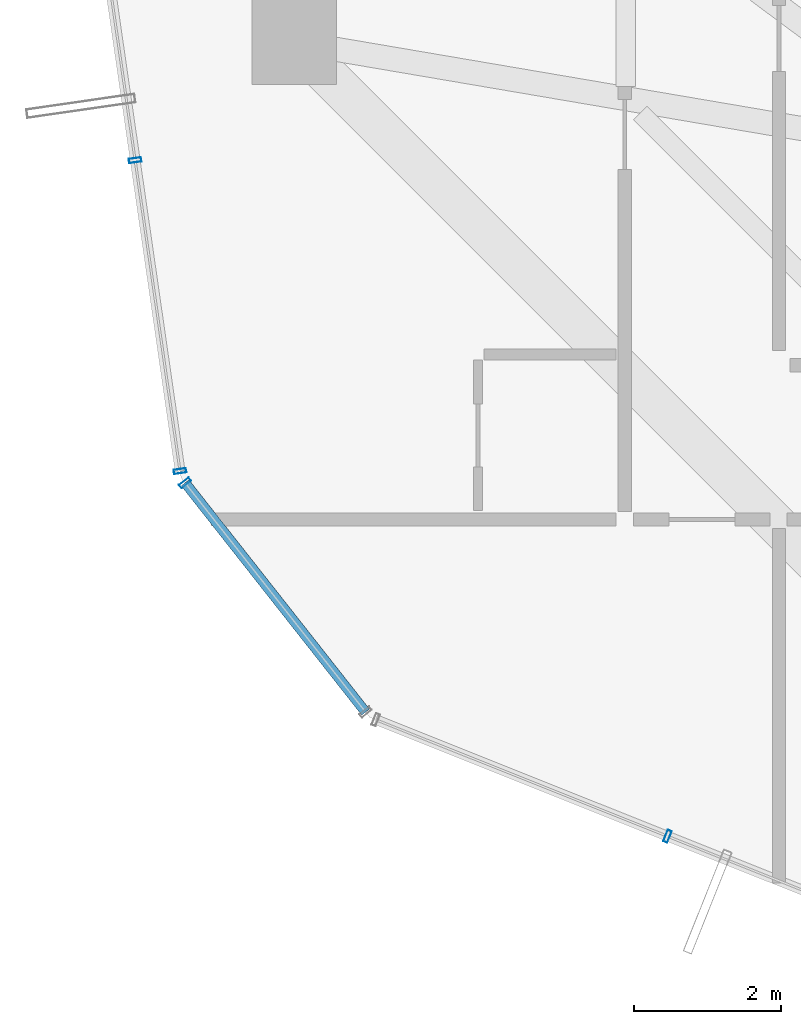
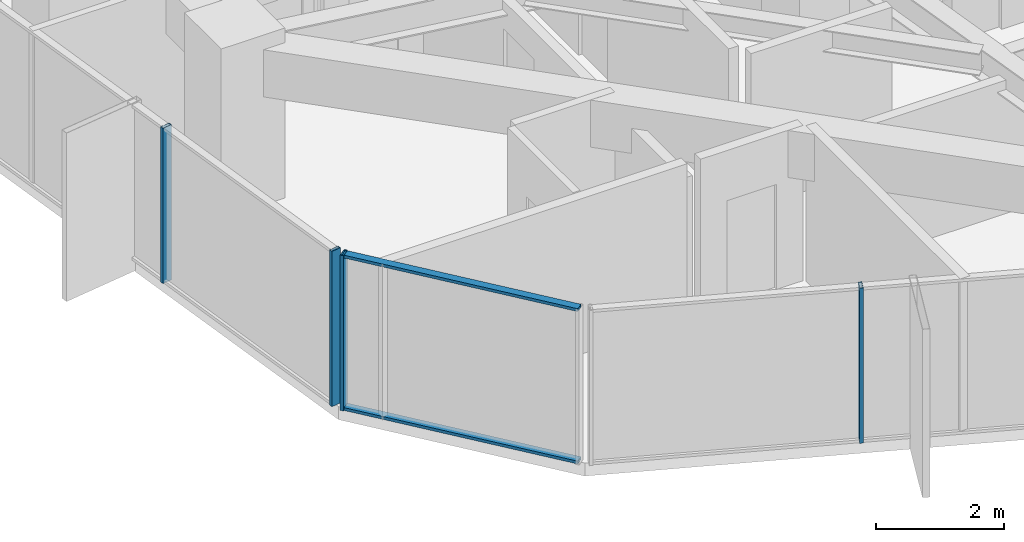
# One storey, part 4 of 34: 6 members, 3 elements without a shape of their own.
"""IFC4 building model written with IfcOpenShell, lengths in metres."""

from ifc_helpers import new_model, si_unit, direction, frame, origin, origin_2d, place, context, subcontext, project, spatial, hollow_rectangle, extrude, source, transform, mapped, material, layer, layer_set, material_profile, profile_set, type_object, element, aggregate, save


model = new_model("IFC4")

# Units and contexts
model_context = context("Model", 3, precision=1e-05, world=origin(), true_north=direction((0.0, 1.0)))
body_context = subcontext(model_context, "Body", "Model", "MODEL_VIEW")
ifc_project = project(units=[si_unit("LENGTHUNIT", "METRE"), si_unit("AREAUNIT", "SQUARE_METRE"), si_unit("VOLUMEUNIT", "CUBIC_METRE"), si_unit("PLANEANGLEUNIT", "RADIAN"), si_unit("MASSUNIT", "GRAM", prefix="KILO")], contexts=[model_context])

# Site, building, storey
site_placement = place(None, origin())
site = spatial("IfcSite", under=ifc_project, at=site_placement, CompositionType="ELEMENT")
building_placement = place(site_placement, origin())
building = spatial("IfcBuilding", under=site, at=building_placement, Name="Veraguas Prism Commons", CompositionType="ELEMENT")
storey_placement = place(building_placement, frame((0.0, 0.0, 155.5)))
storey = spatial("IfcBuildingStorey", under=building, at=storey_placement, Name="L44", CompositionType="ELEMENT", Elevation=155.5)

# Curtain wall, members
ifc_material = material(Name="Anodised aluminium EN AW-6063 T6", Category="aluminium")
ifc_layer = layer(ifc_material, 0.169921875, Name="Unitised Flush Curtain Wall Zone 2", Category="aluminium")
ifc_layer_set = layer_set([ifc_layer], Name="Anodised aluminium EN AW-6063 T6")
curtain_wall_type = type_object("IfcCurtainWallType", Name="Unitised Flush Curtain Wall Zone 2", PredefinedType="NOTDEFINED", material=ifc_layer_set)
curtain_wall_1_placement = place(storey_placement, origin())
curtain_wall_1 = element("IfcCurtainWall", 1, at=curtain_wall_1_placement, inside=storey, type_object=curtain_wall_type, Name="Tower Facade Curtain Wall L44-F3", PredefinedType="NOTDEFINED")
ifc_material_profile_1 = material_profile(ifc_material, hollow_rectangle(XDim=0.06005859375, YDim=0.169921875, WallThickness=0.00390625, at=origin_2d()), Name="AL60X170X4")
ifc_profile_set_1 = profile_set([ifc_material_profile_1], Name="Anodised aluminium EN AW-6063 T6")
member_type_1 = type_object("IfcMemberType", Name="Curtain Wall Mullion Lower AL 60x170x4", PredefinedType="MULLION", material=ifc_profile_set_1)
shared_shape_1 = source(origin(), body_context, "Body", "SweptSolid", [
    extrude(hollow_rectangle(XDim=0.06005859375, YDim=0.169921875, WallThickness=0.00390625, at=origin_2d()), origin(), (0.0, 0.0, 1.0), 2.969970703125),
])
member_1_placement = place(storey_placement, frame((5.630615234375, 16.9931640625, 0.0), z_axis=(0.0, 0.0, 1.0), x_axis=(0.142970967293, -0.989726882787, 0.0)))
member_1 = element("IfcMember", 2, at=member_1_placement, type_object=member_type_1, Name="CW-Z2 Mullion 4", PredefinedType="MULLION", context=body_context, shape_type="MappedRepresentation", body=[
    mapped(shared_shape_1, transform((0.0, 0.0, 0.0), scale=1.0)),
])
member_2_placement = place(storey_placement, frame((6.242431640625, 12.758544921875, 0.0), z_axis=(0.0, 0.0, 1.0), x_axis=(0.142970967293, -0.989726882787, 0.0)))
member_2 = element("IfcMember", 3, at=member_2_placement, type_object=member_type_1, Name="CW-Z2 Mullion 5", PredefinedType="MULLION", context=body_context, shape_type="MappedRepresentation", body=[
    mapped(shared_shape_1, transform((0.0, 0.0, 0.0), scale=1.0)),
])
aggregate(curtain_wall_1, [member_1, member_2])

# Curtain wall, member
curtain_wall_2_placement = place(storey_placement, origin())
curtain_wall_2 = element("IfcCurtainWall", 4, at=curtain_wall_2_placement, inside=storey, type_object=curtain_wall_type, Name="Tower Facade Curtain Wall L44-F4", PredefinedType="NOTDEFINED")
member_3_placement = place(storey_placement, frame((12.88134765625, 7.78564453125, 0.0), z_axis=(0.0, 0.0, 1.0), x_axis=(0.928617344909, -0.371038848013, 0.0)))
member_3 = element("IfcMember", 5, at=member_3_placement, type_object=member_type_1, Name="CW-Z2 Mullion 2", PredefinedType="MULLION", context=body_context, shape_type="MappedRepresentation", body=[
    mapped(shared_shape_1, transform((0.0, 0.0, 0.0), scale=1.0)),
])
aggregate(curtain_wall_2, [member_3])

# Curtain wall, members
curtain_wall_3_placement = place(storey_placement, origin())
curtain_wall_3 = element("IfcCurtainWall", 6, at=curtain_wall_3_placement, inside=storey, type_object=curtain_wall_type, Name="Chamfer Curtain Wall L44-C4", PredefinedType="NOTDEFINED")
member_4_placement = place(storey_placement, frame((6.310791015625, 12.5986328125, 0.0), z_axis=(0.0, 0.0, 1.0), x_axis=(0.618681302278, -0.785642059854, 0.0)))
member_4 = element("IfcMember", 7, at=member_4_placement, type_object=member_type_1, Name="CW-Z2 Mullion 1", PredefinedType="MULLION", context=body_context, shape_type="MappedRepresentation", body=[
    mapped(shared_shape_1, transform((0.0, 0.0, 0.0), scale=1.0)),
])
ifc_material_profile_2 = material_profile(ifc_material, hollow_rectangle(XDim=0.054931640625, YDim=0.135009765625, WallThickness=0.0029296875, at=origin_2d()), Name="AL55X135X3")
ifc_profile_set_2 = profile_set([ifc_material_profile_2], Name="Anodised aluminium EN AW-6063 T6")
member_type_2 = type_object("IfcMemberType", Name="Curtain Wall Transom Standard AL 55x135x3", PredefinedType="USERDEFINED", material=ifc_profile_set_2)
shared_shape_2 = source(origin(), body_context, "Body", "SweptSolid", [
    extrude(hollow_rectangle(XDim=0.054931640625, YDim=0.135009765625, WallThickness=0.0029296875, at=origin_2d()), origin(), (0.0, 0.0, 1.0), 3.973388671875),
])
member_5_placement = place(storey_placement, frame((6.310791015625, 12.5986328125, 0.027587890625), z_axis=(0.618689545942, -0.785635568022, 0.0), x_axis=(0.0, 0.0, 1.0)))
member_5 = element("IfcMember", 8, at=member_5_placement, type_object=member_type_2, Name="CW-Z2 Transom 1", ObjectType="TRANSOM", PredefinedType="USERDEFINED", context=body_context, shape_type="MappedRepresentation", body=[
    mapped(shared_shape_2, transform((0.0, 0.0, 0.0), scale=1.0)),
])
member_6_placement = place(storey_placement, frame((6.310791015625, 12.5986328125, 2.9423828125), z_axis=(0.618689545942, -0.785635568022, 0.0), x_axis=(0.0, 0.0, 1.0)))
member_6 = element("IfcMember", 9, at=member_6_placement, type_object=member_type_2, Name="CW-Z2 Transom 2", ObjectType="TRANSOM", PredefinedType="USERDEFINED", context=body_context, shape_type="MappedRepresentation", body=[
    mapped(shared_shape_2, transform((0.0, 0.0, 0.0), scale=1.0)),
])
aggregate(curtain_wall_3, [member_4, member_5, member_6])

save(model, "model.ifc")
